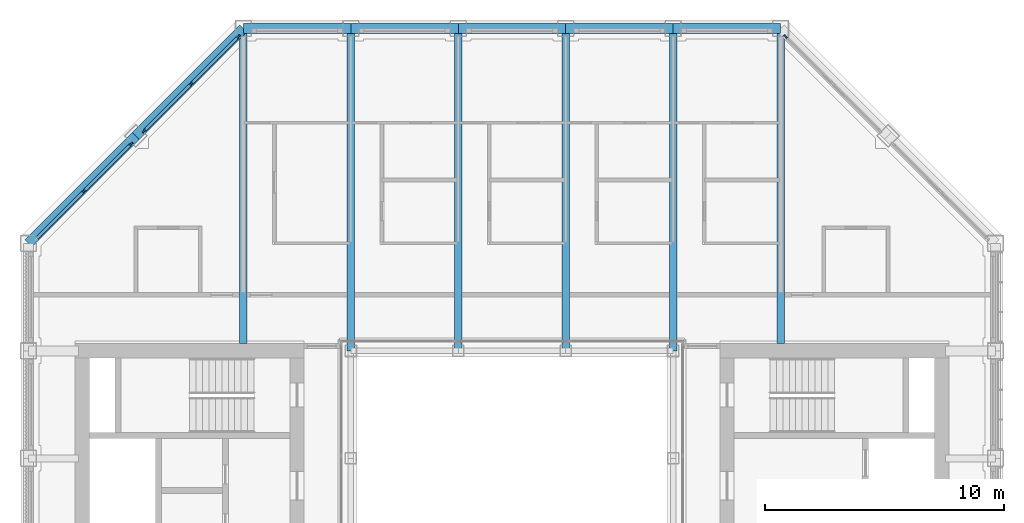
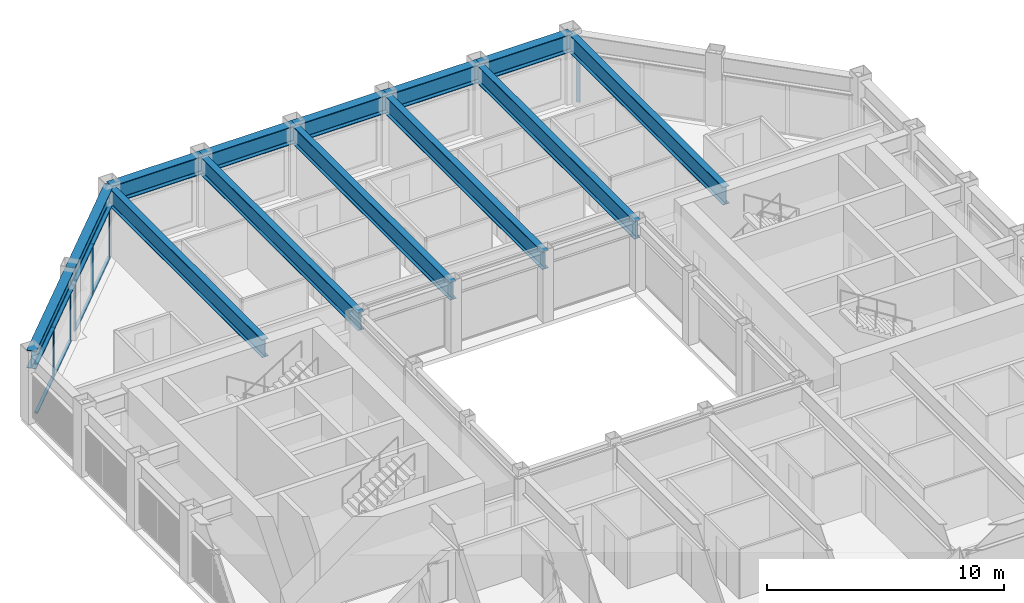
# One storey, part 6 of 17: 14 members, 13 beams, 3 elements without a shape of their own.
"""IFC4 building model written with IfcOpenShell, lengths in metres."""

from ifc_helpers import new_model, si_unit, direction, frame, origin, origin_2d, place, context, subcontext, project, spatial, rectangle, i_section, extrude, material, material_profile, profile_set, type_object, element, aggregate, save


model = new_model("IFC4")

# Units and contexts
model_context = context("Model", 3, precision=1e-05, world=origin(), true_north=direction((0.0, 1.0)))
body_context = subcontext(model_context, "Body", "Model", "MODEL_VIEW")
ifc_project = project(units=[si_unit("LENGTHUNIT", "METRE"), si_unit("AREAUNIT", "SQUARE_METRE"), si_unit("VOLUMEUNIT", "CUBIC_METRE"), si_unit("PLANEANGLEUNIT", "RADIAN"), si_unit("MASSUNIT", "GRAM", prefix="KILO")], contexts=[model_context])

# Site, building, storey
site_placement = place(None, origin())
site = spatial("IfcSite", under=ifc_project, at=site_placement, CompositionType="ELEMENT")
building_placement = place(site_placement, origin())
building = spatial("IfcBuilding", under=site, at=building_placement, Name="Msasa Ring Tower", CompositionType="ELEMENT")
storey_placement = place(building_placement, frame((0.0, 0.0, 253.300048828125)))
storey = spatial("IfcBuildingStorey", under=building, at=storey_placement, Name="L66", CompositionType="ELEMENT", Elevation=253.300048828125)

# Curtain wall, member
ifc_material_1 = material(Name="Aluminium curtain wall with clear glass", Category="aluminium")
curtain_wall_type = type_object("IfcCurtainWallType", Name="CW-C CHAMFER CORNER CURTAIN WALL", PredefinedType="NOTDEFINED", material=ifc_material_1)
curtain_wall_1_placement = place(storey_placement, origin())
curtain_wall_1 = element("IfcCurtainWall", 1, at=curtain_wall_1_placement, inside=storey, type_object=curtain_wall_type, Name="Chamfer corner curtain wall NE L66", PredefinedType="NOTDEFINED")
ifc_material_2 = material(Name="Aluminium mullion", Category="aluminium")
ifc_material_profile_1 = material_profile(ifc_material_2, rectangle(XDim=0.06494140625, YDim=0.179931640625, at=origin_2d()), Name="AL 65x180")
ifc_profile_set_1 = profile_set([ifc_material_profile_1], Name="Aluminium mullion")
member_type_1 = type_object("IfcMemberType", Name="CW-C MULLION 65x180", PredefinedType="MULLION", material=ifc_profile_set_1)
member_1_placement = place(storey_placement, frame((11.453369140625, 19.9052734375, 0.0), z_axis=(0.0, 0.0, 1.0), x_axis=(-0.707106781187, -0.707106781187, 0.0)))
member_1 = element("IfcMember", 2, at=member_1_placement, type_object=member_type_1, Name="CW-C mullion 3", PredefinedType="MULLION", context=body_context, shape_type="SweptSolid", body=[
    extrude(rectangle(XDim=0.06494140625, YDim=0.179931640625, at=origin_2d()), origin(), (0.0, 0.0, 1.0), 2.578857421875),
])
aggregate(curtain_wall_1, [member_1])

# Curtain wall, members
curtain_wall_2_placement = place(storey_placement, origin())
curtain_wall_2 = element("IfcCurtainWall", 3, at=curtain_wall_2_placement, inside=storey, type_object=curtain_wall_type, Name="Chamfer corner curtain wall NW L66", PredefinedType="NOTDEFINED")
member_2_placement = place(storey_placement, frame((-15.953369140625, 15.4052734375, 0.0), z_axis=(0.0, 0.0, 1.0), x_axis=(0.707106781187, -0.707106781187, 0.0)))
member_2 = element("IfcMember", 4, at=member_2_placement, type_object=member_type_1, Name="CW-C mullion 1", PredefinedType="MULLION", context=body_context, shape_type="SweptSolid", body=[
    extrude(rectangle(XDim=0.06494140625, YDim=0.179931640625, at=origin_2d()), origin(), (0.0, 0.0, 1.0), 2.578857421875),
])
member_3_placement = place(storey_placement, frame((-17.92919921875, 13.42919921875, 0.0), z_axis=(0.0, 0.0, 1.0), x_axis=(0.707106781187, -0.707106781187, 0.0)))
member_3 = element("IfcMember", 5, at=member_3_placement, type_object=member_type_1, Name="CW-C mullion 2", PredefinedType="MULLION", context=body_context, shape_type="SweptSolid", body=[
    extrude(rectangle(XDim=0.06494140625, YDim=0.179931640625, at=origin_2d()), origin(), (0.0, 0.0, 1.0), 2.578857421875),
])

curtain_wall_3_placement = place(storey_placement, origin())
curtain_wall_3 = element("IfcCurtainWall", 6, at=curtain_wall_3_placement, inside=storey, type_object=curtain_wall_type, Name="Chamfer corner curtain wall NW L66", PredefinedType="NOTDEFINED")
member_4_placement = place(storey_placement, frame((-11.453369140625, 19.9052734375, 0.0), z_axis=(0.0, 0.0, 1.0), x_axis=(0.707106781187, -0.707106781187, 0.0)))
member_4 = element("IfcMember", 7, at=member_4_placement, type_object=member_type_1, Name="CW-C mullion 1", PredefinedType="MULLION", context=body_context, shape_type="SweptSolid", body=[
    extrude(rectangle(XDim=0.06494140625, YDim=0.179931640625, at=origin_2d()), origin(), (0.0, 0.0, 1.0), 2.578857421875),
])
member_5_placement = place(storey_placement, frame((-13.42919921875, 17.92919921875, 0.0), z_axis=(0.0, 0.0, 1.0), x_axis=(0.707106781187, -0.707106781187, 0.0)))
member_5 = element("IfcMember", 8, at=member_5_placement, type_object=member_type_1, Name="CW-C mullion 2", PredefinedType="MULLION", context=body_context, shape_type="SweptSolid", body=[
    extrude(rectangle(XDim=0.06494140625, YDim=0.179931640625, at=origin_2d()), origin(), (0.0, 0.0, 1.0), 2.578857421875),
])
member_6_placement = place(storey_placement, frame((-15.4052734375, 15.953369140625, 0.0), z_axis=(0.0, 0.0, 1.0), x_axis=(0.707106781187, -0.707106781187, 0.0)))
member_6 = element("IfcMember", 9, at=member_6_placement, type_object=member_type_1, Name="CW-C mullion 3", PredefinedType="MULLION", context=body_context, shape_type="SweptSolid", body=[
    extrude(rectangle(XDim=0.06494140625, YDim=0.179931640625, at=origin_2d()), origin(), (0.0, 0.0, 1.0), 2.578857421875),
])

# Member
ifc_material_3 = material(Name="Aluminium transom", Category="aluminium")
ifc_material_profile_2 = material_profile(ifc_material_3, rectangle(XDim=0.139892578125, YDim=0.06494140625, at=origin_2d()), Name="AL 65x140")
ifc_profile_set_2 = profile_set([ifc_material_profile_2], Name="Aluminium transom")
member_type_2 = type_object("IfcMemberType", Name="CW-C TRANSOM 65x140", PredefinedType="USERDEFINED", material=ifc_profile_set_2)
member_7_placement = place(storey_placement, frame((-15.976318359375, 15.38232421875, 0.032470703125), z_axis=(-0.707106781187, -0.707106781187, 0.0), x_axis=(0.707106781187, -0.707106781187, 0.0)))
member_7 = element("IfcMember", 10, at=member_7_placement, type_object=member_type_2, Name="CW-C transom 1.1", ObjectType="TRANSOM", PredefinedType="USERDEFINED", context=body_context, shape_type="SweptSolid", body=[
    extrude(rectangle(XDim=0.139892578125, YDim=0.06494140625, at=origin_2d()), origin(), (0.0, 0.0, 1.0), 2.729248046875),
])

member_8_placement = place(storey_placement, frame((-15.976318359375, 15.38232421875, 2.54638671875), z_axis=(-0.707106781187, -0.707106781187, 0.0), x_axis=(0.707106781187, -0.707106781187, 0.0)))
member_8 = element("IfcMember", 11, at=member_8_placement, type_object=member_type_2, Name="CW-C transom 1.2", ObjectType="TRANSOM", PredefinedType="USERDEFINED", context=body_context, shape_type="SweptSolid", body=[
    extrude(rectangle(XDim=0.139892578125, YDim=0.06494140625, at=origin_2d()), origin(), (0.0, 0.0, 1.0), 2.729248046875),
])

member_9_placement = place(storey_placement, frame((-17.952392578125, 13.40625, 0.032470703125), z_axis=(-0.707106781187, -0.707106781187, 0.0), x_axis=(0.707106781187, -0.707106781187, 0.0)))
member_9 = element("IfcMember", 12, at=member_9_placement, type_object=member_type_2, Name="CW-C transom 2.1", ObjectType="TRANSOM", PredefinedType="USERDEFINED", context=body_context, shape_type="SweptSolid", body=[
    extrude(rectangle(XDim=0.139892578125, YDim=0.06494140625, at=origin_2d()), origin(), (0.0, 0.0, 1.0), 2.729248046875),
])

member_10_placement = place(storey_placement, frame((-17.952392578125, 13.40625, 2.54638671875), z_axis=(-0.707106781187, -0.707106781187, 0.0), x_axis=(0.707106781187, -0.707106781187, 0.0)))
member_10 = element("IfcMember", 13, at=member_10_placement, type_object=member_type_2, Name="CW-C transom 2.2", ObjectType="TRANSOM", PredefinedType="USERDEFINED", context=body_context, shape_type="SweptSolid", body=[
    extrude(rectangle(XDim=0.139892578125, YDim=0.06494140625, at=origin_2d()), origin(), (0.0, 0.0, 1.0), 2.729248046875),
])

aggregate(curtain_wall_2, [member_2, member_3, member_7, member_8, member_9, member_10])

member_11_placement = place(storey_placement, frame((-11.476318359375, 19.88232421875, 0.032470703125), z_axis=(-0.707106781187, -0.707106781187, 0.0), x_axis=(0.707106781187, -0.707106781187, 0.0)))
member_11 = element("IfcMember", 14, at=member_11_placement, type_object=member_type_2, Name="CW-C transom 1.1", ObjectType="TRANSOM", PredefinedType="USERDEFINED", context=body_context, shape_type="SweptSolid", body=[
    extrude(rectangle(XDim=0.139892578125, YDim=0.06494140625, at=origin_2d()), origin(), (0.0, 0.0, 1.0), 2.729248046875),
])

member_12_placement = place(storey_placement, frame((-11.476318359375, 19.88232421875, 2.54638671875), z_axis=(-0.707106781187, -0.707106781187, 0.0), x_axis=(0.707106781187, -0.707106781187, 0.0)))
member_12 = element("IfcMember", 15, at=member_12_placement, type_object=member_type_2, Name="CW-C transom 1.2", ObjectType="TRANSOM", PredefinedType="USERDEFINED", context=body_context, shape_type="SweptSolid", body=[
    extrude(rectangle(XDim=0.139892578125, YDim=0.06494140625, at=origin_2d()), origin(), (0.0, 0.0, 1.0), 2.729248046875),
])

member_13_placement = place(storey_placement, frame((-13.452392578125, 17.90625, 0.032470703125), z_axis=(-0.707106781187, -0.707106781187, 0.0), x_axis=(0.707106781187, -0.707106781187, 0.0)))
member_13 = element("IfcMember", 16, at=member_13_placement, type_object=member_type_2, Name="CW-C transom 2.1", ObjectType="TRANSOM", PredefinedType="USERDEFINED", context=body_context, shape_type="SweptSolid", body=[
    extrude(rectangle(XDim=0.139892578125, YDim=0.06494140625, at=origin_2d()), origin(), (0.0, 0.0, 1.0), 2.729248046875),
])

member_14_placement = place(storey_placement, frame((-13.452392578125, 17.90625, 2.54638671875), z_axis=(-0.707106781187, -0.707106781187, 0.0), x_axis=(0.707106781187, -0.707106781187, 0.0)))
member_14 = element("IfcMember", 17, at=member_14_placement, type_object=member_type_2, Name="CW-C transom 2.2", ObjectType="TRANSOM", PredefinedType="USERDEFINED", context=body_context, shape_type="SweptSolid", body=[
    extrude(rectangle(XDim=0.139892578125, YDim=0.06494140625, at=origin_2d()), origin(), (0.0, 0.0, 1.0), 2.729248046875),
])

aggregate(curtain_wall_3, [member_4, member_5, member_6, member_11, member_12, member_13, member_14])

# Beams
ifc_material_4 = material(Name="Steel S355", Category="steel")
ifc_material_profile_3 = material_profile(ifc_material_4, i_section(OverallWidth=0.3076171875, OverallDepth=0.926513671875, WebThickness=0.01953125, FlangeThickness=0.031982421875, FilletRadius=0.01904296875, at=origin_2d()), Name="UB 914x305x289")
ifc_profile_set_3 = profile_set([ifc_material_profile_3], Name="Steel S355")
beam_type_1 = type_object("IfcBeamType", Name="FB3 UB 914x305x289", PredefinedType="BEAM", material=ifc_profile_set_3)
beam_1_placement = place(storey_placement, frame((-11.25, 20.25, 3.03662109375), z_axis=(0.0, -1.0, 0.0), x_axis=(1.0, 0.0, 0.0)))
element("IfcBeam", 18, at=beam_1_placement, inside=storey, type_object=beam_type_1, Name="Floor beam N-11.25 under L67", PredefinedType="BEAM", context=body_context, shape_type="SweptSolid", body=[
    extrude(i_section(OverallWidth=0.3076171875, OverallDepth=0.926513671875, WebThickness=0.01953125, FlangeThickness=0.031982421875, FilletRadius=0.01904296875, at=origin_2d()), origin(), (0.0, 0.0, 1.0), 13.199951171875),
])
for number, where, z_axis, x_axis, name in (
    (19, (-6.75, 20.25, 3.03662109375), (0.0, -1.0, 0.0), (1.0, 0.0, 0.0), "Floor beam N-6.75 under L67"),
    (20, (-2.25, 20.25, 3.03662109375), (0.0, -1.0, 0.0), (1.0, 0.0, 0.0), "Floor beam N-2.25 under L67"),
    (21, (2.25, 20.25, 3.03662109375), (0.0, -1.0, 0.0), (1.0, 0.0, 0.0), "Floor beam N+2.25 under L67"),
    (22, (6.75, 20.25, 3.03662109375), (0.0, -1.0, 0.0), (1.0, 0.0, 0.0), "Floor beam N+6.75 under L67"),
):
    element("IfcBeam", number, at=place(storey_placement, frame(where, z_axis=z_axis, x_axis=x_axis)), inside=storey, type_object=beam_type_1, Name=name, PredefinedType="BEAM", context=body_context, shape_type="SweptSolid", body=[
        extrude(i_section(OverallWidth=0.3076171875, OverallDepth=0.926513671875, WebThickness=0.01953125, FlangeThickness=0.031982421875, FilletRadius=0.01904296875, at=origin_2d()), origin(), (0.0, 0.0, 1.0), 13.5),
    ])
beam_2_placement = place(storey_placement, frame((11.25, 20.25, 3.03662109375), z_axis=(0.0, -1.0, 0.0), x_axis=(1.0, 0.0, 0.0)))
element("IfcBeam", 23, at=beam_2_placement, inside=storey, type_object=beam_type_1, Name="Floor beam N+11.25 under L67", PredefinedType="BEAM", context=body_context, shape_type="SweptSolid", body=[
    extrude(i_section(OverallWidth=0.3076171875, OverallDepth=0.926513671875, WebThickness=0.01953125, FlangeThickness=0.031982421875, FilletRadius=0.01904296875, at=origin_2d()), origin(), (0.0, 0.0, 1.0), 13.199951171875),
])
ifc_material_5 = material(Name="Steel S355", Category="steel")
ifc_material_profile_4 = material_profile(ifc_material_5, i_section(OverallWidth=0.42041015625, OverallDepth=0.9208984375, WebThickness=0.021484375, FlangeThickness=0.03662109375, FilletRadius=0.024169921875, at=origin_2d()), Name="UB 914x419x388")
ifc_profile_set_4 = profile_set([ifc_material_profile_4], Name="Steel S355")
beam_type_2 = type_object("IfcBeamType", Name="SB1 UB 914x419x388", PredefinedType="SPANDREL", material=ifc_profile_set_4)
for number, where, z_axis, x_axis, name in (
    (24, (11.25, 20.25, 3.03955078125), (-1.0, 0.0, 0.0), (0.0, -1.0, 0.0), "Spandrel N+11.25 to N+6.75 under L67"),
    (25, (6.75, 20.25, 3.03955078125), (-1.0, 0.0, 0.0), (0.0, -1.0, 0.0), "Spandrel N+6.75 to N+2.25 under L67"),
    (26, (2.25, 20.25, 3.03955078125), (-1.0, 0.0, 0.0), (0.0, -1.0, 0.0), "Spandrel N+2.25 to N-2.25 under L67"),
    (27, (-2.25, 20.25, 3.03955078125), (-1.0, 0.0, 0.0), (0.0, -1.0, 0.0), "Spandrel N-2.25 to N-6.75 under L67"),
    (28, (-6.75, 20.25, 3.03955078125), (-1.0, 0.0, 0.0), (0.0, -1.0, 0.0), "Spandrel N-6.75 to N-11.25 under L67"),
):
    element("IfcBeam", number, at=place(storey_placement, frame(where, z_axis=z_axis, x_axis=x_axis)), inside=storey, type_object=beam_type_2, Name=name, PredefinedType="SPANDREL", context=body_context, shape_type="SweptSolid", body=[
        extrude(i_section(OverallWidth=0.42041015625, OverallDepth=0.9208984375, WebThickness=0.021484375, FlangeThickness=0.03662109375, FilletRadius=0.024169921875, at=origin_2d()), origin(), (0.0, 0.0, 1.0), 4.5),
    ])
for number, where, z_axis, x_axis, name in (
    (29, (-11.25, 20.25, 3.03955078125), (-0.707106781187, -0.707106781187, 0.0), (0.707106781187, -0.707106781187, 0.0), "Spandrel N-11.25 to NW under L67"),
    (30, (-15.75, 15.75, 3.03955078125), (-0.707106781187, -0.707106781187, 0.0), (0.707106781187, -0.707106781187, 0.0), "Spandrel NW to W+11.25 under L67"),
):
    element("IfcBeam", number, at=place(storey_placement, frame(where, z_axis=z_axis, x_axis=x_axis)), inside=storey, type_object=beam_type_2, Name=name, PredefinedType="SPANDREL", context=body_context, shape_type="SweptSolid", body=[
        extrude(i_section(OverallWidth=0.42041015625, OverallDepth=0.9208984375, WebThickness=0.021484375, FlangeThickness=0.03662109375, FilletRadius=0.024169921875, at=origin_2d()), origin(), (0.0, 0.0, 1.0), 6.364013671875),
    ])

save(model, "model.ifc")
